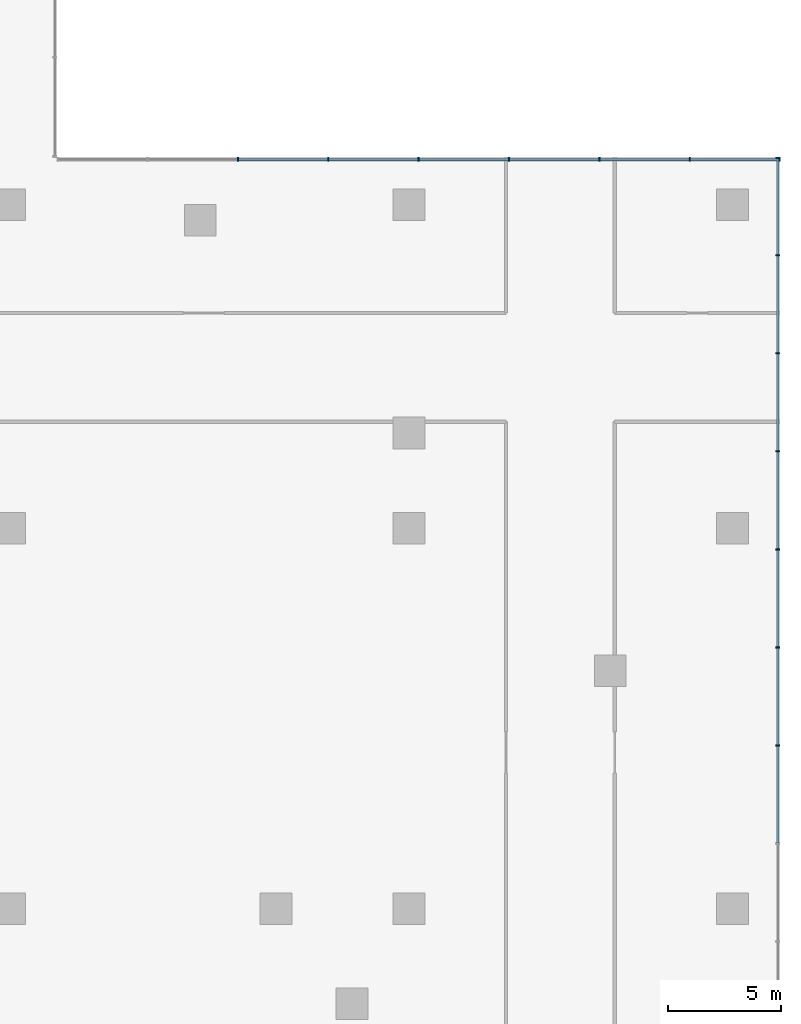
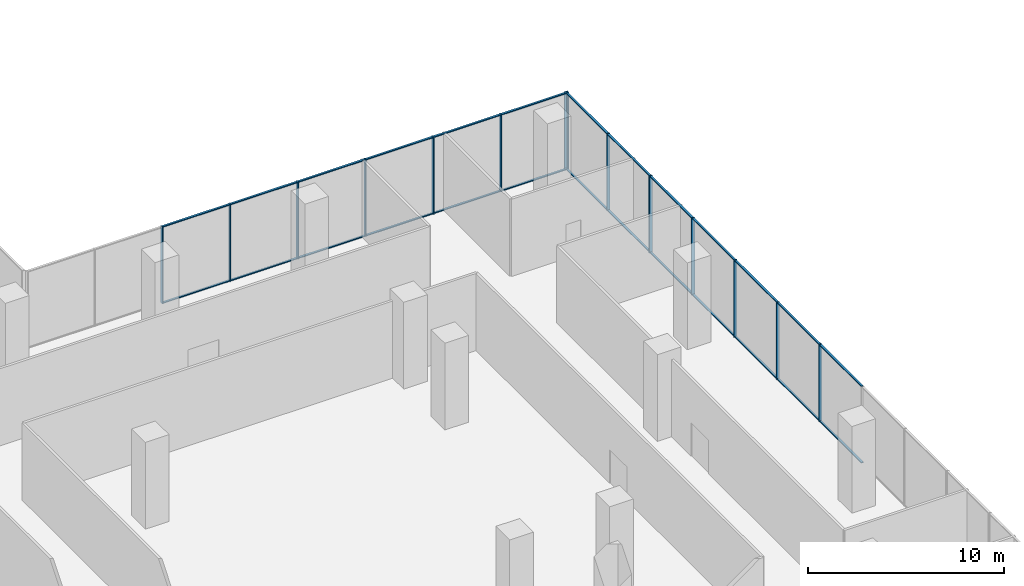
# One storey, part 9 of 24: 40 members, 2 elements without a shape of their own.
"""IFC4 building model written with IfcOpenShell, lengths in metres."""

from ifc_helpers import new_model, si_unit, direction, frame, origin, origin_2d, place, context, subcontext, project, spatial, rectangle, extrude, source, transform, mapped, material, layer, layer_set, material_profile, profile_set, type_object, element, aggregate, save


model = new_model("IFC4")

# Units and contexts
model_context = context("Model", 3, precision=1e-05, world=origin(), true_north=direction((0.0, 1.0)))
body_context = subcontext(model_context, "Body", "Model", "MODEL_VIEW")
ifc_project = project(units=[si_unit("LENGTHUNIT", "METRE"), si_unit("AREAUNIT", "SQUARE_METRE"), si_unit("VOLUMEUNIT", "CUBIC_METRE"), si_unit("PLANEANGLEUNIT", "RADIAN"), si_unit("MASSUNIT", "GRAM", prefix="KILO")], contexts=[model_context])

# Site, building, storey
site_placement = place(None, origin())
site = spatial("IfcSite", under=ifc_project, at=site_placement, CompositionType="ELEMENT")
building_placement = place(site_placement, origin())
building = spatial("IfcBuilding", under=site, at=building_placement, Name="Aurelian Terraces", CompositionType="ELEMENT")
storey_placement = place(building_placement, frame((0.0, 0.0, 12.9)))
storey = spatial("IfcBuildingStorey", under=building, at=storey_placement, Name="L02", CompositionType="ELEMENT", Elevation=12.9)

# Curtain wall, members
ifc_material_1 = material(Name="Anodised aluminium and clear glazing", Category="aluminium")
ifc_layer = layer(ifc_material_1, 0.2)
ifc_layer_set = layer_set([ifc_layer], Name="Winter garden glazing curtain wall")
curtain_wall_type = type_object("IfcCurtainWallType", Name="Winter garden glazing curtain wall", PredefinedType="NOTDEFINED", material=ifc_layer_set)
curtain_wall_1_placement = place(storey_placement, origin())
curtain_wall_1 = element("IfcCurtainWall", 1, at=curtain_wall_1_placement, inside=storey, type_object=curtain_wall_type, Name="Winter garden glazing L02 F03.1", PredefinedType="NOTDEFINED")
ifc_material_2 = material(Name="Anodised aluminium", Category="aluminium")
ifc_material_profile_1 = material_profile(ifc_material_2, rectangle(XDim=0.12, YDim=0.06, at=origin_2d()))
ifc_profile_set_1 = profile_set([ifc_material_profile_1], Name="Anodised aluminium")
member_type_1 = type_object("IfcMemberType", Name="Winter garden glazing transom", PredefinedType="USERDEFINED", material=ifc_profile_set_1)
member_1_placement = place(storey_placement, frame((86.04, 54.08, 0.03), z_axis=(-1.0, 0.0, 0.0), x_axis=(0.0, -1.0, 0.0)))
member_1 = element("IfcMember", 2, at=member_1_placement, type_object=member_type_1, Name="CW6 transom 1.1", ObjectType="TRANSOM", PredefinedType="USERDEFINED", context=body_context, shape_type="SweptSolid", body=[
    extrude(rectangle(XDim=0.12, YDim=0.06, at=origin_2d()), origin(), (0.0, 0.0, 1.0), 3.9),
])
member_2_placement = place(storey_placement, frame((82.08, 54.08, 0.03), z_axis=(-1.0, 0.0, 0.0), x_axis=(0.0, -1.0, 0.0)))
member_2 = element("IfcMember", 3, at=member_2_placement, type_object=member_type_1, Name="CW6 transom 2.1", ObjectType="TRANSOM", PredefinedType="USERDEFINED", context=body_context, shape_type="SweptSolid", body=[
    extrude(rectangle(XDim=0.12, YDim=0.06, at=origin_2d()), origin(), (0.0, 0.0, 1.0), 3.93),
])

curtain_wall_2_placement = place(storey_placement, origin())
curtain_wall_2 = element("IfcCurtainWall", 4, at=curtain_wall_2_placement, inside=storey, type_object=curtain_wall_type, Name="Winter garden glazing L02 F02.1", PredefinedType="NOTDEFINED")
ifc_material_profile_2 = material_profile(ifc_material_2, rectangle(XDim=0.18, YDim=0.06, at=origin_2d()))
ifc_profile_set_2 = profile_set([ifc_material_profile_2], Name="Anodised aluminium")
member_type_2 = type_object("IfcMemberType", Name="Winter garden glazing mullion", PredefinedType="MULLION", material=ifc_profile_set_2)
shared_shape_1 = source(origin(), body_context, "Body", "SweptSolid", [
    extrude(rectangle(XDim=0.18, YDim=0.06, at=origin_2d()), origin(), (0.0, 0.0, 1.0), 4.8),
])
member_3_placement = place(storey_placement, frame((86.0, 28.2046, 0.0), z_axis=(0.0, 0.0, 1.0), x_axis=(-1.0, 0.0, 0.0)))
member_3 = element("IfcMember", 5, at=member_3_placement, type_object=member_type_2, Name="CW6 mullion 8", PredefinedType="MULLION", context=body_context, shape_type="MappedRepresentation", body=[
    mapped(shared_shape_1, transform((0.0, 0.0, 0.0), scale=1.0)),
])
member_4_placement = place(storey_placement, frame((86.0, 32.5338, 0.0), z_axis=(0.0, 0.0, 1.0), x_axis=(-1.0, 0.0, 0.0)))
member_4 = element("IfcMember", 6, at=member_4_placement, type_object=member_type_2, Name="CW6 mullion 9", PredefinedType="MULLION", context=body_context, shape_type="MappedRepresentation", body=[
    mapped(shared_shape_1, transform((0.0, 0.0, 0.0), scale=1.0)),
])
member_5_placement = place(storey_placement, frame((86.0, 36.8631, 0.0), z_axis=(0.0, 0.0, 1.0), x_axis=(-1.0, 0.0, 0.0)))
member_5 = element("IfcMember", 7, at=member_5_placement, type_object=member_type_2, Name="CW6 mullion 10", PredefinedType="MULLION", context=body_context, shape_type="MappedRepresentation", body=[
    mapped(shared_shape_1, transform((0.0, 0.0, 0.0), scale=1.0)),
])
member_6_placement = place(storey_placement, frame((86.0, 41.1923, 0.0), z_axis=(0.0, 0.0, 1.0), x_axis=(-1.0, 0.0, 0.0)))
member_6 = element("IfcMember", 8, at=member_6_placement, type_object=member_type_2, Name="CW6 mullion 11", PredefinedType="MULLION", context=body_context, shape_type="MappedRepresentation", body=[
    mapped(shared_shape_1, transform((0.0, 0.0, 0.0), scale=1.0)),
])
member_7_placement = place(storey_placement, frame((86.0, 45.5215, 0.0), z_axis=(0.0, 0.0, 1.0), x_axis=(-1.0, 0.0, 0.0)))
member_7 = element("IfcMember", 9, at=member_7_placement, type_object=member_type_2, Name="CW6 mullion 12", PredefinedType="MULLION", context=body_context, shape_type="MappedRepresentation", body=[
    mapped(shared_shape_1, transform((0.0, 0.0, 0.0), scale=1.0)),
])
member_8_placement = place(storey_placement, frame((86.0, 49.8508, 0.0), z_axis=(0.0, 0.0, 1.0), x_axis=(-1.0, 0.0, 0.0)))
member_8 = element("IfcMember", 10, at=member_8_placement, type_object=member_type_2, Name="CW6 mullion 13", PredefinedType="MULLION", context=body_context, shape_type="MappedRepresentation", body=[
    mapped(shared_shape_1, transform((0.0, 0.0, 0.0), scale=1.0)),
])
member_9_placement = place(storey_placement, frame((86.0, 54.15, 0.0), z_axis=(0.0, 0.0, 1.0), x_axis=(-1.0, 0.0, 0.0)))
member_9 = element("IfcMember", 11, at=member_9_placement, type_object=member_type_2, Name="CW6 mullion 14", PredefinedType="MULLION", context=body_context, shape_type="MappedRepresentation", body=[
    mapped(shared_shape_1, transform((0.0, 0.0, 0.0), scale=1.0)),
])

# Member
member_10_placement = place(storey_placement, frame((86.07, 54.08, 0.0), z_axis=(0.0, 0.0, 1.0), x_axis=(0.0, -1.0, 0.0)))
member_10 = element("IfcMember", 12, at=member_10_placement, type_object=member_type_2, Name="CW6 mullion 1", PredefinedType="MULLION", context=body_context, shape_type="MappedRepresentation", body=[
    mapped(shared_shape_1, transform((0.0, 0.0, 0.0), scale=1.0)),
])

member_11_placement = place(storey_placement, frame((82.11, 54.08, 0.0), z_axis=(0.0, 0.0, 1.0), x_axis=(0.0, -1.0, 0.0)))
member_11 = element("IfcMember", 13, at=member_11_placement, type_object=member_type_2, Name="CW6 mullion 2", PredefinedType="MULLION", context=body_context, shape_type="MappedRepresentation", body=[
    mapped(shared_shape_1, transform((0.0, 0.0, 0.0), scale=1.0)),
])

member_12_placement = place(storey_placement, frame((78.12, 54.08, 0.0), z_axis=(0.0, 0.0, 1.0), x_axis=(0.0, -1.0, 0.0)))
member_12 = element("IfcMember", 14, at=member_12_placement, type_object=member_type_2, Name="CW6 mullion 3", PredefinedType="MULLION", context=body_context, shape_type="MappedRepresentation", body=[
    mapped(shared_shape_1, transform((0.0, 0.0, 0.0), scale=1.0)),
])

member_13_placement = place(storey_placement, frame((74.13, 54.08, 0.0), z_axis=(0.0, 0.0, 1.0), x_axis=(0.0, -1.0, 0.0)))
member_13 = element("IfcMember", 15, at=member_13_placement, type_object=member_type_2, Name="CW6 mullion 4", PredefinedType="MULLION", context=body_context, shape_type="MappedRepresentation", body=[
    mapped(shared_shape_1, transform((0.0, 0.0, 0.0), scale=1.0)),
])

member_14_placement = place(storey_placement, frame((70.14, 54.08, 0.0), z_axis=(0.0, 0.0, 1.0), x_axis=(0.0, -1.0, 0.0)))
member_14 = element("IfcMember", 16, at=member_14_placement, type_object=member_type_2, Name="CW6 mullion 5", PredefinedType="MULLION", context=body_context, shape_type="MappedRepresentation", body=[
    mapped(shared_shape_1, transform((0.0, 0.0, 0.0), scale=1.0)),
])

member_15_placement = place(storey_placement, frame((66.15, 54.08, 0.0), z_axis=(0.0, 0.0, 1.0), x_axis=(0.0, -1.0, 0.0)))
member_15 = element("IfcMember", 17, at=member_15_placement, type_object=member_type_2, Name="CW6 mullion 6", PredefinedType="MULLION", context=body_context, shape_type="MappedRepresentation", body=[
    mapped(shared_shape_1, transform((0.0, 0.0, 0.0), scale=1.0)),
])

member_16_placement = place(storey_placement, frame((62.16, 54.08, 0.0), z_axis=(0.0, 0.0, 1.0), x_axis=(0.0, -1.0, 0.0)))
member_16 = element("IfcMember", 18, at=member_16_placement, type_object=member_type_2, Name="CW6 mullion 7", PredefinedType="MULLION", context=body_context, shape_type="MappedRepresentation", body=[
    mapped(shared_shape_1, transform((0.0, 0.0, 0.0), scale=1.0)),
])

shared_shape_2 = source(origin(), body_context, "Body", "SweptSolid", [
    extrude(rectangle(XDim=0.12, YDim=0.06, at=origin_2d()), origin(), (0.0, 0.0, 1.0), 4.2392),
])
member_17_placement = place(storey_placement, frame((86.0, 49.8808, 0.03), z_axis=(0.0, 1.0, 0.0), x_axis=(-1.0, 0.0, 0.0)))
member_17 = element("IfcMember", 19, at=member_17_placement, type_object=member_type_1, Name="CW6 transom 13.1", ObjectType="TRANSOM", PredefinedType="USERDEFINED", context=body_context, shape_type="MappedRepresentation", body=[
    mapped(shared_shape_2, transform((0.0, 0.0, 0.0), scale=1.0)),
])

member_18_placement = place(storey_placement, frame((86.0, 49.8808, 4.77), z_axis=(0.0, 1.0, 0.0), x_axis=(-1.0, 0.0, 0.0)))
member_18 = element("IfcMember", 20, at=member_18_placement, type_object=member_type_1, Name="CW6 transom 13.2", ObjectType="TRANSOM", PredefinedType="USERDEFINED", context=body_context, shape_type="MappedRepresentation", body=[
    mapped(shared_shape_2, transform((0.0, 0.0, 0.0), scale=1.0)),
])

shared_shape_3 = source(origin(), body_context, "Body", "SweptSolid", [
    extrude(rectangle(XDim=0.12, YDim=0.06, at=origin_2d()), origin(), (0.0, 0.0, 1.0), 4.2693),
])
member_19_placement = place(storey_placement, frame((86.0, 32.5638, 0.03), z_axis=(0.0, 1.0, 0.0), x_axis=(-1.0, 0.0, 0.0)))
member_19 = element("IfcMember", 21, at=member_19_placement, type_object=member_type_1, Name="CW6 transom 9.1", ObjectType="TRANSOM", PredefinedType="USERDEFINED", context=body_context, shape_type="MappedRepresentation", body=[
    mapped(shared_shape_3, transform((0.0, 0.0, 0.0), scale=1.0)),
])

member_20_placement = place(storey_placement, frame((86.0, 32.5638, 4.77), z_axis=(0.0, 1.0, 0.0), x_axis=(-1.0, 0.0, 0.0)))
member_20 = element("IfcMember", 22, at=member_20_placement, type_object=member_type_1, Name="CW6 transom 9.2", ObjectType="TRANSOM", PredefinedType="USERDEFINED", context=body_context, shape_type="MappedRepresentation", body=[
    mapped(shared_shape_3, transform((0.0, 0.0, 0.0), scale=1.0)),
])

member_21_placement = place(storey_placement, frame((86.0, 45.5515, 0.03), z_axis=(0.0, 1.0, 0.0), x_axis=(-1.0, 0.0, 0.0)))
member_21 = element("IfcMember", 23, at=member_21_placement, type_object=member_type_1, Name="CW6 transom 12.1", ObjectType="TRANSOM", PredefinedType="USERDEFINED", context=body_context, shape_type="MappedRepresentation", body=[
    mapped(shared_shape_3, transform((0.0, 0.0, 0.0), scale=1.0)),
])

member_22_placement = place(storey_placement, frame((86.0, 45.5515, 4.77), z_axis=(0.0, 1.0, 0.0), x_axis=(-1.0, 0.0, 0.0)))
member_22 = element("IfcMember", 24, at=member_22_placement, type_object=member_type_1, Name="CW6 transom 12.2", ObjectType="TRANSOM", PredefinedType="USERDEFINED", context=body_context, shape_type="MappedRepresentation", body=[
    mapped(shared_shape_3, transform((0.0, 0.0, 0.0), scale=1.0)),
])

shared_shape_4 = source(origin(), body_context, "Body", "SweptSolid", [
    extrude(rectangle(XDim=0.12, YDim=0.06, at=origin_2d()), origin(), (0.0, 0.0, 1.0), 4.2692),
])
member_23_placement = place(storey_placement, frame((86.0, 23.9054, 0.03), z_axis=(0.0, 1.0, 0.0), x_axis=(-1.0, 0.0, 0.0)))
member_23 = element("IfcMember", 25, at=member_23_placement, type_object=member_type_1, Name="CW6 transom 7.1", ObjectType="TRANSOM", PredefinedType="USERDEFINED", context=body_context, shape_type="MappedRepresentation", body=[
    mapped(shared_shape_4, transform((0.0, 0.0, 0.0), scale=1.0)),
])

member_24_placement = place(storey_placement, frame((86.0, 23.9054, 4.77), z_axis=(0.0, 1.0, 0.0), x_axis=(-1.0, 0.0, 0.0)))
member_24 = element("IfcMember", 26, at=member_24_placement, type_object=member_type_1, Name="CW6 transom 7.2", ObjectType="TRANSOM", PredefinedType="USERDEFINED", context=body_context, shape_type="MappedRepresentation", body=[
    mapped(shared_shape_4, transform((0.0, 0.0, 0.0), scale=1.0)),
])

member_25_placement = place(storey_placement, frame((86.0, 28.2346, 0.03), z_axis=(0.0, 1.0, 0.0), x_axis=(-1.0, 0.0, 0.0)))
member_25 = element("IfcMember", 27, at=member_25_placement, type_object=member_type_1, Name="CW6 transom 8.1", ObjectType="TRANSOM", PredefinedType="USERDEFINED", context=body_context, shape_type="MappedRepresentation", body=[
    mapped(shared_shape_4, transform((0.0, 0.0, 0.0), scale=1.0)),
])

member_26_placement = place(storey_placement, frame((86.0, 28.2346, 4.77), z_axis=(0.0, 1.0, 0.0), x_axis=(-1.0, 0.0, 0.0)))
member_26 = element("IfcMember", 28, at=member_26_placement, type_object=member_type_1, Name="CW6 transom 8.2", ObjectType="TRANSOM", PredefinedType="USERDEFINED", context=body_context, shape_type="MappedRepresentation", body=[
    mapped(shared_shape_4, transform((0.0, 0.0, 0.0), scale=1.0)),
])

member_27_placement = place(storey_placement, frame((86.0, 36.8931, 0.03), z_axis=(0.0, 1.0, 0.0), x_axis=(-1.0, 0.0, 0.0)))
member_27 = element("IfcMember", 29, at=member_27_placement, type_object=member_type_1, Name="CW6 transom 10.1", ObjectType="TRANSOM", PredefinedType="USERDEFINED", context=body_context, shape_type="MappedRepresentation", body=[
    mapped(shared_shape_4, transform((0.0, 0.0, 0.0), scale=1.0)),
])

member_28_placement = place(storey_placement, frame((86.0, 36.8931, 4.77), z_axis=(0.0, 1.0, 0.0), x_axis=(-1.0, 0.0, 0.0)))
member_28 = element("IfcMember", 30, at=member_28_placement, type_object=member_type_1, Name="CW6 transom 10.2", ObjectType="TRANSOM", PredefinedType="USERDEFINED", context=body_context, shape_type="MappedRepresentation", body=[
    mapped(shared_shape_4, transform((0.0, 0.0, 0.0), scale=1.0)),
])

member_29_placement = place(storey_placement, frame((86.0, 41.2223, 0.03), z_axis=(0.0, 1.0, 0.0), x_axis=(-1.0, 0.0, 0.0)))
member_29 = element("IfcMember", 31, at=member_29_placement, type_object=member_type_1, Name="CW6 transom 11.1", ObjectType="TRANSOM", PredefinedType="USERDEFINED", context=body_context, shape_type="MappedRepresentation", body=[
    mapped(shared_shape_4, transform((0.0, 0.0, 0.0), scale=1.0)),
])

member_30_placement = place(storey_placement, frame((86.0, 41.2223, 4.77), z_axis=(0.0, 1.0, 0.0), x_axis=(-1.0, 0.0, 0.0)))
member_30 = element("IfcMember", 32, at=member_30_placement, type_object=member_type_1, Name="CW6 transom 11.2", ObjectType="TRANSOM", PredefinedType="USERDEFINED", context=body_context, shape_type="MappedRepresentation", body=[
    mapped(shared_shape_4, transform((0.0, 0.0, 0.0), scale=1.0)),
])

aggregate(curtain_wall_2, [member_3, member_4, member_5, member_6, member_7, member_8, member_9, member_23, member_24, member_25, member_26, member_19, member_20, member_27, member_28, member_29, member_30, member_21, member_22, member_17, member_18])

shared_shape_5 = source(origin(), body_context, "Body", "SweptSolid", [
    extrude(rectangle(XDim=0.12, YDim=0.06, at=origin_2d()), origin(), (0.0, 0.0, 1.0), 3.9),
])
member_31_placement = place(storey_placement, frame((86.04, 54.08, 4.77), z_axis=(-1.0, 0.0, 0.0), x_axis=(0.0, -1.0, 0.0)))
member_31 = element("IfcMember", 33, at=member_31_placement, type_object=member_type_1, Name="CW6 transom 1.2", ObjectType="TRANSOM", PredefinedType="USERDEFINED", context=body_context, shape_type="MappedRepresentation", body=[
    mapped(shared_shape_5, transform((0.0, 0.0, 0.0), scale=1.0)),
])

shared_shape_6 = source(origin(), body_context, "Body", "SweptSolid", [
    extrude(rectangle(XDim=0.12, YDim=0.06, at=origin_2d()), origin(), (0.0, 0.0, 1.0), 3.93),
])
member_32_placement = place(storey_placement, frame((82.08, 54.08, 4.77), z_axis=(-1.0, 0.0, 0.0), x_axis=(0.0, -1.0, 0.0)))
member_32 = element("IfcMember", 34, at=member_32_placement, type_object=member_type_1, Name="CW6 transom 2.2", ObjectType="TRANSOM", PredefinedType="USERDEFINED", context=body_context, shape_type="MappedRepresentation", body=[
    mapped(shared_shape_6, transform((0.0, 0.0, 0.0), scale=1.0)),
])

member_33_placement = place(storey_placement, frame((78.09, 54.08, 0.03), z_axis=(-1.0, 0.0, 0.0), x_axis=(0.0, -1.0, 0.0)))
member_33 = element("IfcMember", 35, at=member_33_placement, type_object=member_type_1, Name="CW6 transom 3.1", ObjectType="TRANSOM", PredefinedType="USERDEFINED", context=body_context, shape_type="MappedRepresentation", body=[
    mapped(shared_shape_6, transform((0.0, 0.0, 0.0), scale=1.0)),
])

member_34_placement = place(storey_placement, frame((78.09, 54.08, 4.77), z_axis=(-1.0, 0.0, 0.0), x_axis=(0.0, -1.0, 0.0)))
member_34 = element("IfcMember", 36, at=member_34_placement, type_object=member_type_1, Name="CW6 transom 3.2", ObjectType="TRANSOM", PredefinedType="USERDEFINED", context=body_context, shape_type="MappedRepresentation", body=[
    mapped(shared_shape_6, transform((0.0, 0.0, 0.0), scale=1.0)),
])

member_35_placement = place(storey_placement, frame((74.1, 54.08, 0.03), z_axis=(-1.0, 0.0, 0.0), x_axis=(0.0, -1.0, 0.0)))
member_35 = element("IfcMember", 37, at=member_35_placement, type_object=member_type_1, Name="CW6 transom 4.1", ObjectType="TRANSOM", PredefinedType="USERDEFINED", context=body_context, shape_type="MappedRepresentation", body=[
    mapped(shared_shape_6, transform((0.0, 0.0, 0.0), scale=1.0)),
])

member_36_placement = place(storey_placement, frame((74.1, 54.08, 4.77), z_axis=(-1.0, 0.0, 0.0), x_axis=(0.0, -1.0, 0.0)))
member_36 = element("IfcMember", 38, at=member_36_placement, type_object=member_type_1, Name="CW6 transom 4.2", ObjectType="TRANSOM", PredefinedType="USERDEFINED", context=body_context, shape_type="MappedRepresentation", body=[
    mapped(shared_shape_6, transform((0.0, 0.0, 0.0), scale=1.0)),
])

member_37_placement = place(storey_placement, frame((70.11, 54.08, 0.03), z_axis=(-1.0, 0.0, 0.0), x_axis=(0.0, -1.0, 0.0)))
member_37 = element("IfcMember", 39, at=member_37_placement, type_object=member_type_1, Name="CW6 transom 5.1", ObjectType="TRANSOM", PredefinedType="USERDEFINED", context=body_context, shape_type="MappedRepresentation", body=[
    mapped(shared_shape_6, transform((0.0, 0.0, 0.0), scale=1.0)),
])

member_38_placement = place(storey_placement, frame((70.11, 54.08, 4.77), z_axis=(-1.0, 0.0, 0.0), x_axis=(0.0, -1.0, 0.0)))
member_38 = element("IfcMember", 40, at=member_38_placement, type_object=member_type_1, Name="CW6 transom 5.2", ObjectType="TRANSOM", PredefinedType="USERDEFINED", context=body_context, shape_type="MappedRepresentation", body=[
    mapped(shared_shape_6, transform((0.0, 0.0, 0.0), scale=1.0)),
])

member_39_placement = place(storey_placement, frame((66.12, 54.08, 0.03), z_axis=(-1.0, 0.0, 0.0), x_axis=(0.0, -1.0, 0.0)))
member_39 = element("IfcMember", 41, at=member_39_placement, type_object=member_type_1, Name="CW6 transom 6.1", ObjectType="TRANSOM", PredefinedType="USERDEFINED", context=body_context, shape_type="MappedRepresentation", body=[
    mapped(shared_shape_6, transform((0.0, 0.0, 0.0), scale=1.0)),
])

member_40_placement = place(storey_placement, frame((66.12, 54.08, 4.77), z_axis=(-1.0, 0.0, 0.0), x_axis=(0.0, -1.0, 0.0)))
member_40 = element("IfcMember", 42, at=member_40_placement, type_object=member_type_1, Name="CW6 transom 6.2", ObjectType="TRANSOM", PredefinedType="USERDEFINED", context=body_context, shape_type="MappedRepresentation", body=[
    mapped(shared_shape_6, transform((0.0, 0.0, 0.0), scale=1.0)),
])

aggregate(curtain_wall_1, [member_10, member_11, member_12, member_13, member_14, member_15, member_16, member_1, member_31, member_2, member_32, member_33, member_34, member_35, member_36, member_37, member_38, member_39, member_40])

save(model, "model.ifc")
